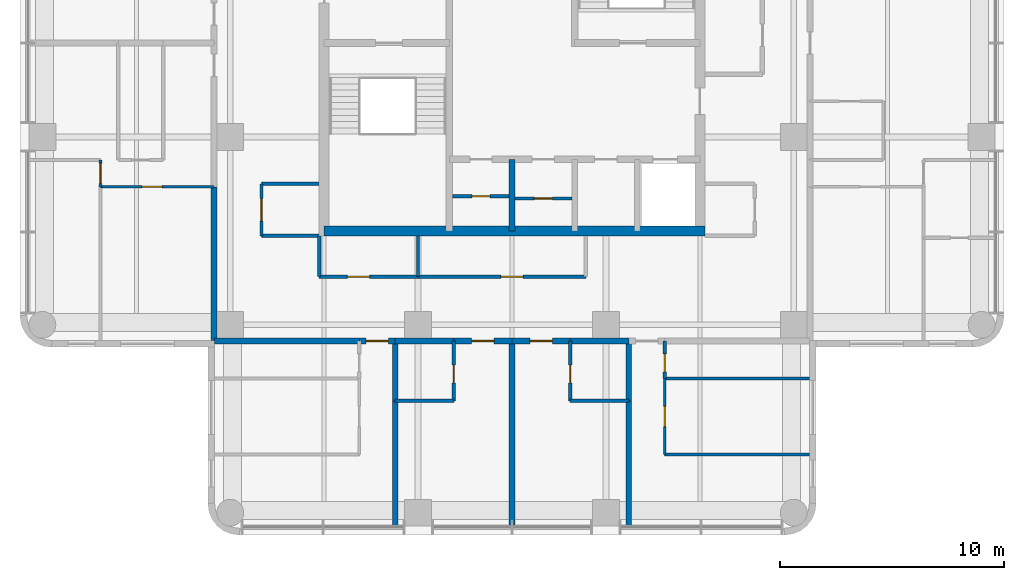
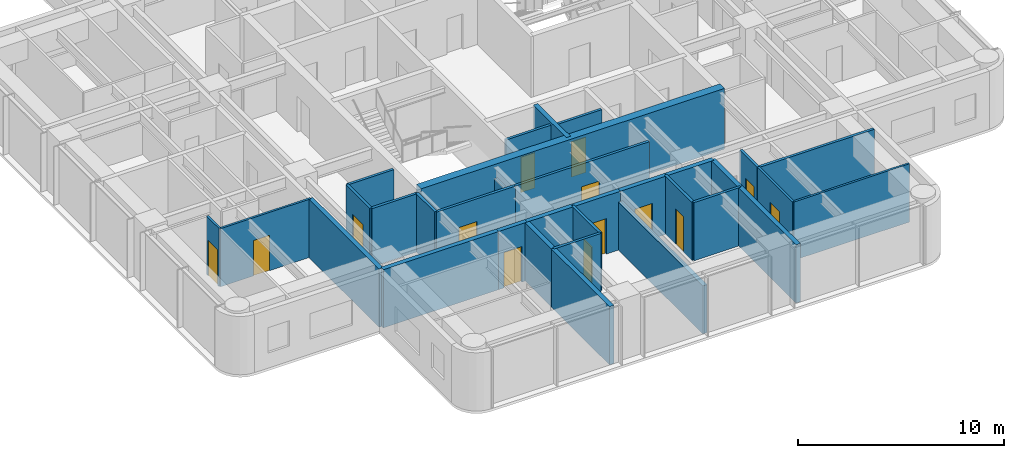
# One storey, part 4 of 10: 33 walls, 14 doors, 14 openings.
"""IFC4 building model written with IfcOpenShell, lengths in metres."""

from ifc_helpers import new_model, si_unit, direction, frame, frame_2d, origin, place, context, subcontext, project, spatial, rectangle, extrude, material, layer, layer_set, type_object, element, fill, save


model = new_model("IFC4")

# Units and contexts
model_context = context("Model", 3, precision=1e-05, world=origin(), true_north=direction((0.0, 1.0)))
body_context = subcontext(model_context, "Body", "Model", "MODEL_VIEW")
ifc_project = project(units=[si_unit("LENGTHUNIT", "METRE"), si_unit("AREAUNIT", "SQUARE_METRE"), si_unit("VOLUMEUNIT", "CUBIC_METRE"), si_unit("PLANEANGLEUNIT", "RADIAN"), si_unit("MASSUNIT", "GRAM", prefix="KILO")], contexts=[model_context])

# Site, building, storey
site_placement = place(None, origin())
site = spatial("IfcSite", under=ifc_project, at=site_placement, CompositionType="ELEMENT")
building_placement = place(site_placement, origin())
building = spatial("IfcBuilding", under=site, at=building_placement, Name="Torre Alcanfor", CompositionType="ELEMENT")
storey_placement = place(building_placement, frame((0.0, 0.0, 282.89990234375)))
storey = spatial("IfcBuildingStorey", under=building, at=storey_placement, Name="L74", CompositionType="ELEMENT", Elevation=282.89990234375)

# Wall, opening, door
ifc_material_1 = material(Name="Concrete block masonry, hollow blocks NMX-C-404 9 MPa", Category="masonry")
ifc_layer_1 = layer(ifc_material_1, 0.25)
ifc_layer_set_1 = layer_set([ifc_layer_1], Name="Apartment entrance wall 250 EI 60")
wall_type_1 = type_object("IfcWallType", Name="Apartment entrance wall 250 EI 60", PredefinedType="PARTITIONING", material=ifc_layer_set_1)
wall_1_placement = place(storey_placement, frame((32.0, 16.074951171875, 0.0), z_axis=(0.0, 0.0, 1.0), x_axis=(-1.0, 0.0, 0.0)))
wall_1 = element("IfcWall", 1, at=wall_1_placement, inside=storey, type_object=wall_type_1, Name="Partition L74-CORR / L74-S1A-STUDIO", PredefinedType="PARTITIONING", context=body_context, shape_type="SweptSolid", body=[
    extrude(rectangle(XDim=2.60009765625, YDim=0.25, at=frame_2d((1.300048828125, 0.0))), origin(), (0.0, 0.0, 1.0), 3.4501953125),
])
opening_1_placement = place(wall_1_placement, frame((0.800048828125, 0.0, 0.0)))
opening_1 = element("IfcOpeningElement", 2, at=opening_1_placement, cuts=wall_1, Name="Opening D-A1", PredefinedType="OPENING", context=body_context, shape_type="SweptSolid", body=[
    extrude(rectangle(XDim=1.0, YDim=2.10009765625, at=frame_2d((0.5, 1.050048828125))), frame((0.0, 0.135009765625, 0.0), z_axis=(0.0, -1.0, 0.0), x_axis=(1.0, 0.0, 0.0)), (0.0, 0.0, 1.0), 0.27001953125),
])
ifc_material_2 = material(Name="Galvanised steel sheet ASTM A653", Category="steel")
door_type_1 = type_object("IfcDoorType", Name="Apartment entrance door FD60 1000x2100", OperationType="SINGLE_SWING_LEFT", PredefinedType="DOOR", material=ifc_material_2)
door_1_placement = place(opening_1_placement, origin())
door_1 = element("IfcDoor", 3, at=door_1_placement, inside=storey, type_object=door_type_1, Name="Apartment entrance L74-S1A", OperationType="SINGLE_SWING_LEFT", OverallHeight=2.10009765625, OverallWidth=1.0, PredefinedType="DOOR", context=body_context, shape_type="SweptSolid", body=[
    extrude(rectangle(XDim=1.0, YDim=2.10009765625, at=frame_2d((0.5, 1.050048828125))), frame((0.0, 0.02490234375, 0.0), z_axis=(0.0, -1.0, 0.0), x_axis=(1.0, 0.0, 0.0)), (0.0, 0.0, 1.0), 0.050048828125),
])
fill(opening_1, door_1)

# Wall
wall_2_placement = place(storey_placement, frame((34.62890625, 16.074951171875, 0.0), z_axis=(0.0, 0.0, 1.0), x_axis=(-1.0, 0.0, 0.0)))
element("IfcWall", 4, at=wall_2_placement, inside=storey, type_object=wall_type_1, Name="Partition L74-CORR / L74-S1A-BATH", PredefinedType="PARTITIONING", context=body_context, shape_type="SweptSolid", body=[
    extrude(rectangle(XDim=2.62890625, YDim=0.25, at=frame_2d((1.314453125, 0.0))), origin(), (0.0, 0.0, 1.0), 3.4501953125),
])

# Wall, opening, door
wall_3_placement = place(storey_placement, frame((29.39990234375, 16.074951171875, 0.0), z_axis=(0.0, 0.0, 1.0), x_axis=(-1.0, 0.0, 0.0)))
wall_3 = element("IfcWall", 5, at=wall_3_placement, inside=storey, type_object=wall_type_1, Name="Partition L74-CORR / L74-S2A-STUDIO", PredefinedType="PARTITIONING", context=body_context, shape_type="SweptSolid", body=[
    extrude(rectangle(XDim=2.599853515625, YDim=0.25, at=frame_2d((1.2998046875, 0.0))), origin(), (0.0, 0.0, 1.0), 3.4501953125),
])
opening_2_placement = place(wall_3_placement, frame((0.800048828125, 0.0, 0.0)))
opening_2 = element("IfcOpeningElement", 6, at=opening_2_placement, cuts=wall_3, Name="Opening D-A1", PredefinedType="OPENING", context=body_context, shape_type="SweptSolid", body=[
    extrude(rectangle(XDim=1.0, YDim=2.10009765625, at=frame_2d((0.5, 1.050048828125))), frame((0.0, 0.135009765625, 0.0), z_axis=(0.0, -1.0, 0.0), x_axis=(1.0, 0.0, 0.0)), (0.0, 0.0, 1.0), 0.27001953125),
])
door_2_placement = place(opening_2_placement, origin())
door_2 = element("IfcDoor", 7, at=door_2_placement, inside=storey, type_object=door_type_1, Name="Apartment entrance L74-S2A", OperationType="SINGLE_SWING_LEFT", OverallHeight=2.10009765625, OverallWidth=1.0, PredefinedType="DOOR", context=body_context, shape_type="SweptSolid", body=[
    extrude(rectangle(XDim=1.0, YDim=2.10009765625, at=frame_2d((0.5, 1.050048828125))), frame((0.0, 0.02490234375, 0.0), z_axis=(0.0, -1.0, 0.0), x_axis=(1.0, 0.0, 0.0)), (0.0, 0.0, 1.0), 0.050048828125),
])
fill(opening_2, door_2)

# Wall
wall_4_placement = place(storey_placement, frame((26.800048828125, 16.074951171875, 0.0), z_axis=(0.0, 0.0, 1.0), x_axis=(-1.0, 0.0, 0.0)))
element("IfcWall", 8, at=wall_4_placement, inside=storey, type_object=wall_type_1, Name="Partition L74-CORR / L74-S2A-BATH", PredefinedType="PARTITIONING", context=body_context, shape_type="SweptSolid", body=[
    extrude(rectangle(XDim=2.629150390625, YDim=0.25, at=frame_2d((1.314453125, 0.0))), origin(), (0.0, 0.0, 1.0), 3.4501953125),
])

# Wall, opening, door
wall_5_placement = place(storey_placement, frame((24.1708984375, 16.074951171875, 0.0), z_axis=(0.0, 0.0, 1.0), x_axis=(-1.0, 0.0, 0.0)))
wall_5 = element("IfcWall", 9, at=wall_5_placement, inside=storey, type_object=wall_type_1, Name="Partition L74-CORR / L74-S2B-LIVING", PredefinedType="PARTITIONING", context=body_context, shape_type="SweptSolid", body=[
    extrude(rectangle(XDim=1.599853515625, YDim=0.25, at=frame_2d((0.7998046875, 0.0))), origin(), (0.0, 0.0, 1.0), 3.4501953125),
])
opening_3_placement = place(wall_5_placement, frame((0.300048828125, 0.0, 0.0)))
opening_3 = element("IfcOpeningElement", 10, at=opening_3_placement, cuts=wall_5, Name="Opening D-A1", PredefinedType="OPENING", context=body_context, shape_type="SweptSolid", body=[
    extrude(rectangle(XDim=1.0, YDim=2.10009765625, at=frame_2d((0.5, 1.050048828125))), frame((0.0, 0.135009765625, 0.0), z_axis=(0.0, -1.0, 0.0), x_axis=(1.0, 0.0, 0.0)), (0.0, 0.0, 1.0), 0.27001953125),
])
door_3_placement = place(opening_3_placement, origin())
door_3 = element("IfcDoor", 11, at=door_3_placement, inside=storey, type_object=door_type_1, Name="Apartment entrance L74-S2B", OperationType="SINGLE_SWING_LEFT", OverallHeight=2.10009765625, OverallWidth=1.0, PredefinedType="DOOR", context=body_context, shape_type="SweptSolid", body=[
    extrude(rectangle(XDim=1.0, YDim=2.10009765625, at=frame_2d((0.5, 1.050048828125))), frame((0.0, 0.02490234375, 0.0), z_axis=(0.0, -1.0, 0.0), x_axis=(1.0, 0.0, 0.0)), (0.0, 0.0, 1.0), 0.050048828125),
])
fill(opening_3, door_3)

# Walls
wall_6_placement = place(storey_placement, frame((22.571044921875, 16.074951171875, 0.0), z_axis=(0.0, 0.0, 1.0), x_axis=(-1.0, 0.0, 0.0)))
element("IfcWall", 12, at=wall_6_placement, inside=storey, type_object=wall_type_1, Name="Partition L74-CORR / L74-S2B-BATH", PredefinedType="PARTITIONING", context=body_context, shape_type="SweptSolid", body=[
    extrude(rectangle(XDim=6.470947265625, YDim=0.25, at=frame_2d((3.2353515625, 0.0))), origin(), (0.0, 0.0, 1.0), 3.4501953125),
])
wall_7_placement = place(storey_placement, frame((16.074951171875, 16.10009765625, 0.0), z_axis=(0.0, 0.0, 1.0), x_axis=(0.0, 1.0, 0.0)))
element("IfcWall", 13, at=wall_7_placement, inside=storey, type_object=wall_type_1, Name="Partition L74-CORR / L74-W1-BED2", PredefinedType="PARTITIONING", context=body_context, shape_type="SweptSolid", body=[
    extrude(rectangle(XDim=6.870849609375, YDim=0.25, at=frame_2d((3.435546875, 0.0))), origin(), (0.0, 0.0, 1.0), 3.4501953125),
])

# Wall, opening, door
ifc_material_3 = material(Name="Gypsum board on steel studs", Category="steel")
ifc_layer_2 = layer(ifc_material_3, 0.1201171875)
ifc_layer_set_2 = layer_set([ifc_layer_2], Name="Apartment partition 120")
wall_type_2 = type_object("IfcWallType", Name="Apartment partition 120", PredefinedType="PARTITIONING", material=ifc_layer_set_2)
wall_8_placement = place(storey_placement, frame((36.22900390625, 14.39990234375, 0.0), z_axis=(0.0, 0.0, 1.0), x_axis=(0.0, -1.0, 0.0)))
wall_8 = element("IfcWall", 14, at=wall_8_placement, inside=storey, type_object=wall_type_2, Name="Partition L74-S1B-LIVING / L74-S1B-MASTER", PredefinedType="PARTITIONING", context=body_context, shape_type="SweptSolid", body=[
    extrude(rectangle(XDim=3.39990234375, YDim=0.1201171875, at=frame_2d((1.699951171875, 0.0))), origin(), (0.0, 0.0, 1.0), 3.4501953125),
])
opening_4_placement = place(wall_8_placement, frame((1.25, 0.0, 0.0)))
opening_4 = element("IfcOpeningElement", 15, at=opening_4_placement, cuts=wall_8, Name="Opening D-R1", PredefinedType="OPENING", context=body_context, shape_type="SweptSolid", body=[
    extrude(rectangle(XDim=0.89990234375, YDim=2.10009765625, at=frame_2d((0.449951171875, 1.050048828125))), frame((0.0, 0.070068359375, 0.0), z_axis=(0.0, -1.0, 0.0), x_axis=(1.0, 0.0, 0.0)), (0.0, 0.0, 1.0), 0.14013671875),
])
ifc_material_4 = material(Name="Timber", Category="wood")
door_type_2 = type_object("IfcDoorType", Name="Internal door 900x2100", OperationType="SINGLE_SWING_LEFT", PredefinedType="DOOR", material=ifc_material_4)
door_4_placement = place(opening_4_placement, origin())
door_4 = element("IfcDoor", 16, at=door_4_placement, inside=storey, type_object=door_type_2, Name="Door L74-S1B master", OperationType="SINGLE_SWING_LEFT", OverallHeight=2.10009765625, OverallWidth=0.89990234375, PredefinedType="DOOR", context=body_context, shape_type="SweptSolid", body=[
    extrude(rectangle(XDim=0.89990234375, YDim=2.10009765625, at=frame_2d((0.449951171875, 1.050048828125))), frame((0.0, 0.02490234375, 0.0), z_axis=(0.0, -1.0, 0.0), x_axis=(1.0, 0.0, 0.0)), (0.0, 0.0, 1.0), 0.050048828125),
])
fill(opening_4, door_4)

# Wall
wall_9_placement = place(storey_placement, frame((36.22900390625, 11.0, 0.0), z_axis=(0.0, 0.0, 1.0), x_axis=(1.0, 0.0, 0.0)))
element("IfcWall", 17, at=wall_9_placement, inside=storey, type_object=wall_type_2, Name="Partition L74-S1B-LIVING / L74-S1B-MASTER", PredefinedType="PARTITIONING", context=body_context, shape_type="SweptSolid", body=[
    extrude(rectangle(XDim=6.470947265625, YDim=0.1201171875, at=frame_2d((3.2353515625, 0.0))), origin(), (0.0, 0.0, 1.0), 3.4501953125),
])

# Wall, opening, door
wall_10_placement = place(storey_placement, frame((16.074951171875, 22.970947265625, 0.0), z_axis=(0.0, 0.0, 1.0), x_axis=(-1.0, 0.0, 0.0)))
wall_10 = element("IfcWall", 18, at=wall_10_placement, inside=storey, type_object=wall_type_2, Name="Partition L74-W1-LIVING / L74-W1-BED2", PredefinedType="PARTITIONING", context=body_context, shape_type="SweptSolid", body=[
    extrude(rectangle(XDim=5.074951171875, YDim=0.1201171875, at=frame_2d((2.53759765625, 0.0))), origin(), (0.0, 0.0, 1.0), 3.4501953125),
])
opening_5_placement = place(wall_10_placement, frame((2.324951171875, 0.0, 0.0)))
opening_5 = element("IfcOpeningElement", 19, at=opening_5_placement, cuts=wall_10, Name="Opening D-R1", PredefinedType="OPENING", context=body_context, shape_type="SweptSolid", body=[
    extrude(rectangle(XDim=0.89990234375, YDim=2.10009765625, at=frame_2d((0.449951171875, 1.050048828125))), frame((0.0, 0.070068359375, 0.0), z_axis=(0.0, -1.0, 0.0), x_axis=(1.0, 0.0, 0.0)), (0.0, 0.0, 1.0), 0.14013671875),
])
door_5_placement = place(opening_5_placement, origin())
door_5 = element("IfcDoor", 20, at=door_5_placement, inside=storey, type_object=door_type_2, Name="Door L74-W1 bed2", OperationType="SINGLE_SWING_RIGHT", OverallHeight=2.10009765625, OverallWidth=0.89990234375, PredefinedType="DOOR", context=body_context, shape_type="SweptSolid", body=[
    extrude(rectangle(XDim=0.89990234375, YDim=2.10009765625, at=frame_2d((0.449951171875, 1.050048828125))), frame((0.0, 0.02490234375, 0.0), z_axis=(0.0, -1.0, 0.0), x_axis=(1.0, 0.0, 0.0)), (0.0, 0.0, 1.0), 0.050048828125),
])
fill(opening_5, door_5)

wall_11_placement = place(storey_placement, frame((11.0, 22.970947265625, 0.0), z_axis=(0.0, 0.0, 1.0), x_axis=(0.0, 1.0, 0.0)))
wall_11 = element("IfcWall", 21, at=wall_11_placement, inside=storey, type_object=wall_type_2, Name="Partition L74-W1-LIVING / L74-W1-MASTER", PredefinedType="PARTITIONING", context=body_context, shape_type="SweptSolid", body=[
    extrude(rectangle(XDim=1.199951171875, YDim=0.1201171875, at=frame_2d((0.60009765625, 0.0))), origin(), (0.0, 0.0, 1.0), 3.4501953125),
])
opening_6_placement = place(wall_11_placement, frame((0.14892578125, 0.0, 0.0)))
opening_6 = element("IfcOpeningElement", 22, at=opening_6_placement, cuts=wall_11, Name="Opening D-R1", PredefinedType="OPENING", context=body_context, shape_type="SweptSolid", body=[
    extrude(rectangle(XDim=0.89990234375, YDim=2.10009765625, at=frame_2d((0.449951171875, 1.050048828125))), frame((0.0, 0.070068359375, 0.0), z_axis=(0.0, -1.0, 0.0), x_axis=(1.0, 0.0, 0.0)), (0.0, 0.0, 1.0), 0.14013671875),
])
door_6_placement = place(opening_6_placement, origin())
door_6 = element("IfcDoor", 23, at=door_6_placement, inside=storey, type_object=door_type_2, Name="Door L74-W1 master", OperationType="SINGLE_SWING_RIGHT", OverallHeight=2.10009765625, OverallWidth=0.89990234375, PredefinedType="DOOR", context=body_context, shape_type="SweptSolid", body=[
    extrude(rectangle(XDim=0.89990234375, YDim=2.10009765625, at=frame_2d((0.449951171875, 1.050048828125))), frame((0.0, 0.02490234375, 0.0), z_axis=(0.0, -1.0, 0.0), x_axis=(1.0, 0.0, 0.0)), (0.0, 0.0, 1.0), 0.050048828125),
])
fill(opening_6, door_6)

# Walls
ifc_material_5 = material(Name="Concrete f'c 70 MPa", Category="concrete")
ifc_layer_3 = layer(ifc_material_5, 0.25)
ifc_layer_set_3 = layer_set([ifc_layer_3], Name="Core shaft wall 250 f'c70")
wall_type_3 = type_object("IfcWallType", Name="Core shaft wall 250 f'c70", PredefinedType="SHEAR", material=ifc_layer_set_3)
wall_12_placement = place(storey_placement, frame((29.39990234375, 21.0, 0.0), z_axis=(0.0, 0.0, 1.0), x_axis=(0.0, 1.0, 0.0)))
element("IfcWall", 24, at=wall_12_placement, inside=storey, type_object=wall_type_3, Name="Core wall X294S L74", PredefinedType="SHEAR", context=body_context, shape_type="SweptSolid", body=[
    extrude(rectangle(XDim=3.199951171875, YDim=0.25, at=frame_2d((1.60009765625, 0.0))), origin(), (0.0, 0.0, 1.0), 3.60009765625),
])
ifc_material_6 = material(Name="Concrete f'c 70 MPa", Category="concrete")
ifc_layer_4 = layer(ifc_material_6, 0.449951171875)
ifc_layer_set_4 = layer_set([ifc_layer_4], Name="Core wall 450 f'c70")
wall_type_4 = type_object("IfcWallType", Name="Core wall 450 f'c70", PredefinedType="SHEAR", material=ifc_layer_set_4)
wall_13_placement = place(storey_placement, frame((21.0, 21.0, 0.0), z_axis=(0.0, 0.0, 1.0), x_axis=(1.0, 0.0, 0.0)))
element("IfcWall", 25, at=wall_13_placement, inside=storey, type_object=wall_type_4, Name="Core wall OUT-S L74", PredefinedType="SHEAR", context=body_context, shape_type="SweptSolid", body=[
    extrude(rectangle(XDim=17.02490234375, YDim=0.449951171875, at=frame_2d((8.512451171875, 0.0))), origin(), (0.0, 0.0, 1.0), 3.60009765625),
])
ifc_material_7 = material(Name="Concrete block masonry, hollow blocks NMX-C-404 9 MPa", Category="masonry")
ifc_layer_5 = layer(ifc_material_7, 0.25)
ifc_layer_set_5 = layer_set([ifc_layer_5], Name="Party wall 250 EI 60")
wall_type_5 = type_object("IfcWallType", Name="Party wall 250 EI 60", PredefinedType="PARTITIONING", material=ifc_layer_set_5)
wall_14_placement = place(storey_placement, frame((34.62890625, 13.39990234375, 0.0), z_axis=(0.0, 0.0, 1.0), x_axis=(0.0, -1.0, 0.0)))
element("IfcWall", 26, at=wall_14_placement, inside=storey, type_object=wall_type_5, Name="Partition L74-S1A-STUDIO / L74-S1B-LIVING", PredefinedType="PARTITIONING", context=body_context, shape_type="SweptSolid", body=[
    extrude(rectangle(XDim=5.64990234375, YDim=0.25, at=frame_2d((2.824951171875, 0.0))), origin(), (0.0, 0.0, 1.0), 3.4501953125),
])
wall_15_placement = place(storey_placement, frame((29.39990234375, 7.75, 0.0), z_axis=(0.0, 0.0, 1.0), x_axis=(0.0, 1.0, 0.0)))
element("IfcWall", 27, at=wall_15_placement, inside=storey, type_object=wall_type_5, Name="Partition L74-S1A-STUDIO / L74-S2A-STUDIO", PredefinedType="PARTITIONING", context=body_context, shape_type="SweptSolid", body=[
    extrude(rectangle(XDim=8.324951171875, YDim=0.25, at=frame_2d((4.16259765625, 0.0))), origin(), (0.0, 0.0, 1.0), 2.84814453125),
])
wall_16_placement = place(storey_placement, frame((34.62890625, 13.39990234375, 0.0), z_axis=(0.0, 0.0, 1.0), x_axis=(0.0, 1.0, 0.0)))
element("IfcWall", 28, at=wall_16_placement, inside=storey, type_object=wall_type_5, Name="Partition L74-S1A-BATH / L74-S1B-LIVING", PredefinedType="PARTITIONING", context=body_context, shape_type="SweptSolid", body=[
    extrude(rectangle(XDim=2.675048828125, YDim=0.25, at=frame_2d((1.33740234375, 0.0))), origin(), (0.0, 0.0, 1.0), 3.4501953125),
])
wall_17_placement = place(storey_placement, frame((24.1708984375, 7.75, 0.0), z_axis=(0.0, 0.0, 1.0), x_axis=(0.0, 1.0, 0.0)))
element("IfcWall", 29, at=wall_17_placement, inside=storey, type_object=wall_type_5, Name="Partition L74-S2A-STUDIO / L74-S2B-LIVING", PredefinedType="PARTITIONING", context=body_context, shape_type="SweptSolid", body=[
    extrude(rectangle(XDim=5.64990234375, YDim=0.25, at=frame_2d((2.824951171875, 0.0))), origin(), (0.0, 0.0, 1.0), 3.4501953125),
])
wall_18_placement = place(storey_placement, frame((24.1708984375, 13.39990234375, 0.0), z_axis=(0.0, 0.0, 1.0), x_axis=(0.0, 1.0, 0.0)))
element("IfcWall", 30, at=wall_18_placement, inside=storey, type_object=wall_type_5, Name="Partition L74-S2A-BATH / L74-S2B-LIVING", PredefinedType="PARTITIONING", context=body_context, shape_type="SweptSolid", body=[
    extrude(rectangle(XDim=2.675048828125, YDim=0.25, at=frame_2d((1.33740234375, 0.0))), origin(), (0.0, 0.0, 1.0), 3.4501953125),
])
ifc_material_8 = material(Name="Concrete block masonry, hollow blocks NMX-C-404 9 MPa", Category="masonry")
ifc_layer_6 = layer(ifc_material_8, 0.14990234375)
ifc_layer_set_6 = layer_set([ifc_layer_6], Name="Residents' room partition 150")
wall_type_6 = type_object("IfcWallType", Name="Residents' room partition 150", PredefinedType="PARTITIONING", material=ifc_layer_set_6)
wall_19_placement = place(storey_placement, frame((20.77490234375, 20.77490234375, 0.0), z_axis=(0.0, 0.0, 1.0), x_axis=(0.0, -1.0, 0.0)))
element("IfcWall", 31, at=wall_19_placement, inside=storey, type_object=wall_type_6, Name="Partition L74-CORR / L74-G05", PredefinedType="PARTITIONING", context=body_context, shape_type="SweptSolid", body=[
    extrude(rectangle(XDim=1.824951171875, YDim=0.14990234375, at=frame_2d((0.91259765625, 0.0))), origin(), (0.0, 0.0, 1.0), 3.4501953125),
])

# Wall, opening, door
wall_20_placement = place(storey_placement, frame((20.77490234375, 18.949951171875, 0.0), z_axis=(0.0, 0.0, 1.0), x_axis=(1.0, 0.0, 0.0)))
wall_20 = element("IfcWall", 32, at=wall_20_placement, inside=storey, type_object=wall_type_6, Name="Partition L74-CORR / L74-G05", PredefinedType="PARTITIONING", context=body_context, shape_type="SweptSolid", body=[
    extrude(rectangle(XDim=4.425048828125, YDim=0.14990234375, at=frame_2d((2.21240234375, 0.0))), origin(), (0.0, 0.0, 1.0), 3.4501953125),
])
opening_7_placement = place(wall_20_placement, frame((1.262451171875, 0.0, 0.0)))
opening_7 = element("IfcOpeningElement", 33, at=opening_7_placement, cuts=wall_20, Name="Opening D-M1", PredefinedType="OPENING", context=body_context, shape_type="SweptSolid", body=[
    extrude(rectangle(XDim=1.0, YDim=2.10009765625, at=frame_2d((0.5, 1.050048828125))), frame((0.0, 0.0849609375, 0.0), z_axis=(0.0, -1.0, 0.0), x_axis=(1.0, 0.0, 0.0)), (0.0, 0.0, 1.0), 0.169921875),
])
ifc_material_9 = material(Name="Timber", Category="wood")
door_type_3 = type_object("IfcDoorType", Name="Residents' room door 1000x2100", OperationType="SINGLE_SWING_LEFT", PredefinedType="DOOR", material=ifc_material_9)
door_7_placement = place(opening_7_placement, origin())
door_7 = element("IfcDoor", 34, at=door_7_placement, inside=storey, type_object=door_type_3, Name="Door L74-G05 linen store", OperationType="SINGLE_SWING_LEFT", OverallHeight=2.10009765625, OverallWidth=1.0, PredefinedType="DOOR", context=body_context, shape_type="SweptSolid", body=[
    extrude(rectangle(XDim=1.0, YDim=2.10009765625, at=frame_2d((0.5, 1.050048828125))), frame((0.0, 0.02490234375, 0.0), z_axis=(0.0, -1.0, 0.0), x_axis=(1.0, 0.0, 0.0)), (0.0, 0.0, 1.0), 0.050048828125),
])
fill(opening_7, door_7)

wall_21_placement = place(storey_placement, frame((25.199951171875, 18.949951171875, 0.0), z_axis=(0.0, 0.0, 1.0), x_axis=(1.0, 0.0, 0.0)))
wall_21 = element("IfcWall", 35, at=wall_21_placement, inside=storey, type_object=wall_type_6, Name="Partition L74-CORR / L74-G06", PredefinedType="PARTITIONING", context=body_context, shape_type="SweptSolid", body=[
    extrude(rectangle(XDim=7.5, YDim=0.14990234375, at=frame_2d((3.75, 0.0))), origin(), (0.0, 0.0, 1.0), 3.4501953125),
])
opening_8_placement = place(wall_21_placement, frame((3.699951171875, 0.0, 0.0)))
opening_8 = element("IfcOpeningElement", 36, at=opening_8_placement, cuts=wall_21, Name="Opening D-M1", PredefinedType="OPENING", context=body_context, shape_type="SweptSolid", body=[
    extrude(rectangle(XDim=1.0, YDim=2.10009765625, at=frame_2d((0.5, 1.050048828125))), frame((0.0, 0.0849609375, 0.0), z_axis=(0.0, -1.0, 0.0), x_axis=(1.0, 0.0, 0.0)), (0.0, 0.0, 1.0), 0.169921875),
])
door_8_placement = place(opening_8_placement, origin())
door_8 = element("IfcDoor", 37, at=door_8_placement, inside=storey, type_object=door_type_3, Name="Door L74-G06 pram and wheelchair store", OperationType="SINGLE_SWING_RIGHT", OverallHeight=2.10009765625, OverallWidth=1.0, PredefinedType="DOOR", context=body_context, shape_type="SweptSolid", body=[
    extrude(rectangle(XDim=1.0, YDim=2.10009765625, at=frame_2d((0.5, 1.050048828125))), frame((0.0, 0.02490234375, 0.0), z_axis=(0.0, -1.0, 0.0), x_axis=(1.0, 0.0, 0.0)), (0.0, 0.0, 1.0), 0.050048828125),
])
fill(opening_8, door_8)

# Wall
wall_22_placement = place(storey_placement, frame((20.77490234375, 23.10009765625, 0.0), z_axis=(0.0, 0.0, 1.0), x_axis=(-1.0, 0.0, 0.0)))
element("IfcWall", 38, at=wall_22_placement, inside=storey, type_object=wall_type_6, Name="Partition L74-CORR / L74-G07", PredefinedType="PARTITIONING", context=body_context, shape_type="SweptSolid", body=[
    extrude(rectangle(XDim=2.574951171875, YDim=0.14990234375, at=frame_2d((1.28759765625, 0.0))), origin(), (0.0, 0.0, 1.0), 3.4501953125),
])

# Wall, opening, door
wall_23_placement = place(storey_placement, frame((18.199951171875, 23.10009765625, 0.0), z_axis=(0.0, 0.0, 1.0), x_axis=(0.0, -1.0, 0.0)))
wall_23 = element("IfcWall", 39, at=wall_23_placement, inside=storey, type_object=wall_type_6, Name="Partition L74-CORR / L74-G07", PredefinedType="PARTITIONING", context=body_context, shape_type="SweptSolid", body=[
    extrude(rectangle(XDim=2.3251953125, YDim=0.14990234375, at=frame_2d((1.16259765625, 0.0))), origin(), (0.0, 0.0, 1.0), 3.4501953125),
])
opening_9_placement = place(wall_23_placement, frame((0.66259765625, 0.0, 0.0)))
opening_9 = element("IfcOpeningElement", 40, at=opening_9_placement, cuts=wall_23, Name="Opening D-M1", PredefinedType="OPENING", context=body_context, shape_type="SweptSolid", body=[
    extrude(rectangle(XDim=1.0, YDim=2.10009765625, at=frame_2d((0.5, 1.050048828125))), frame((0.0, 0.0849609375, 0.0), z_axis=(0.0, -1.0, 0.0), x_axis=(1.0, 0.0, 0.0)), (0.0, 0.0, 1.0), 0.169921875),
])
door_9_placement = place(opening_9_placement, origin())
door_9 = element("IfcDoor", 41, at=door_9_placement, inside=storey, type_object=door_type_3, Name="Door L74-G07 residents' storage", OperationType="SINGLE_SWING_LEFT", OverallHeight=2.10009765625, OverallWidth=1.0, PredefinedType="DOOR", context=body_context, shape_type="SweptSolid", body=[
    extrude(rectangle(XDim=1.0, YDim=2.10009765625, at=frame_2d((0.5, 1.050048828125))), frame((0.0, 0.02490234375, 0.0), z_axis=(0.0, -1.0, 0.0), x_axis=(1.0, 0.0, 0.0)), (0.0, 0.0, 1.0), 0.050048828125),
])
fill(opening_9, door_9)

# Walls
wall_24_placement = place(storey_placement, frame((18.199951171875, 20.77490234375, 0.0), z_axis=(0.0, 0.0, 1.0), x_axis=(1.0, 0.0, 0.0)))
element("IfcWall", 42, at=wall_24_placement, inside=storey, type_object=wall_type_6, Name="Partition L74-CORR / L74-G07", PredefinedType="PARTITIONING", context=body_context, shape_type="SweptSolid", body=[
    extrude(rectangle(XDim=2.574951171875, YDim=0.14990234375, at=frame_2d((1.28759765625, 0.0))), origin(), (0.0, 0.0, 1.0), 3.4501953125),
])
wall_25_placement = place(storey_placement, frame((25.199951171875, 18.949951171875, 0.0), z_axis=(0.0, 0.0, 1.0), x_axis=(0.0, 1.0, 0.0)))
element("IfcWall", 43, at=wall_25_placement, inside=storey, type_object=wall_type_6, Name="Partition L74-G05 / L74-G06", PredefinedType="PARTITIONING", context=body_context, shape_type="SweptSolid", body=[
    extrude(rectangle(XDim=1.824951171875, YDim=0.14990234375, at=frame_2d((0.91259765625, 0.0))), origin(), (0.0, 0.0, 1.0), 2.766845703125),
])

# Wall, opening, door
wall_26_placement = place(storey_placement, frame((26.75, 22.550048828125, 0.0), z_axis=(0.0, 0.0, 1.0), x_axis=(1.0, 0.0, 0.0)))
wall_26 = element("IfcWall", 44, at=wall_26_placement, inside=storey, type_object=wall_type_6, Name="Partition L74-PA1R / L74-PA1C", PredefinedType="PARTITIONING", context=body_context, shape_type="SweptSolid", body=[
    extrude(rectangle(XDim=2.52490234375, YDim=0.14990234375, at=frame_2d((1.262451171875, 0.0))), origin(), (0.0, 0.0, 1.0), 3.4501953125),
])
opening_10_placement = place(wall_26_placement, frame((0.862548828125, 0.0, 0.0)))
opening_10 = element("IfcOpeningElement", 45, at=opening_10_placement, cuts=wall_26, Name="Opening D-R2", PredefinedType="OPENING", context=body_context, shape_type="SweptSolid", body=[
    extrude(rectangle(XDim=0.800048828125, YDim=2.10009765625, at=frame_2d((0.39990234375, 1.050048828125))), frame((0.0, 0.0849609375, 0.0), z_axis=(0.0, -1.0, 0.0), x_axis=(1.0, 0.0, 0.0)), (0.0, 0.0, 1.0), 0.169921875),
])
ifc_material_10 = material(Name="Timber", Category="wood")
door_type_4 = type_object("IfcDoorType", Name="Bathroom door 800x2100", OperationType="SINGLE_SWING_LEFT", PredefinedType="DOOR", material=ifc_material_10)
door_10_placement = place(opening_10_placement, frame((0.800048828125, 0.0, 0.0), z_axis=(0.0, 0.0, 1.0), x_axis=(-1.0, 0.0, 0.0)))
door_10 = element("IfcDoor", 46, at=door_10_placement, inside=storey, type_object=door_type_4, Name="Cleaners' cupboard door L74", OperationType="SINGLE_SWING_RIGHT", OverallHeight=2.10009765625, OverallWidth=0.800048828125, PredefinedType="DOOR", context=body_context, shape_type="SweptSolid", body=[
    extrude(rectangle(XDim=0.800048828125, YDim=2.10009765625, at=frame_2d((0.400146484375, 1.050048828125))), frame((0.0, 0.025146484375, 0.0), z_axis=(0.0, -1.0, 0.0), x_axis=(1.0, 0.0, 0.0)), (0.0, 0.0, 1.0), 0.050048828125),
])
fill(opening_10, door_10)

wall_27_placement = place(storey_placement, frame((29.52490234375, 22.449951171875, 0.0), z_axis=(0.0, 0.0, 1.0), x_axis=(1.0, 0.0, 0.0)))
wall_27 = element("IfcWall", 47, at=wall_27_placement, inside=storey, type_object=wall_type_6, Name="Partition L74-PA2R / L74-PA2C", PredefinedType="PARTITIONING", context=body_context, shape_type="SweptSolid", body=[
    extrude(rectangle(XDim=2.550048828125, YDim=0.14990234375, at=frame_2d((1.27490234375, 0.0))), origin(), (0.0, 0.0, 1.0), 3.4501953125),
])
opening_11_placement = place(wall_27_placement, frame((0.875, 0.0, 0.0)))
opening_11 = element("IfcOpeningElement", 48, at=opening_11_placement, cuts=wall_27, Name="Opening D-R2", PredefinedType="OPENING", context=body_context, shape_type="SweptSolid", body=[
    extrude(rectangle(XDim=0.800048828125, YDim=2.10009765625, at=frame_2d((0.39990234375, 1.050048828125))), frame((0.0, 0.0849609375, 0.0), z_axis=(0.0, -1.0, 0.0), x_axis=(1.0, 0.0, 0.0)), (0.0, 0.0, 1.0), 0.169921875),
])
door_11_placement = place(opening_11_placement, frame((0.800048828125, 0.0, 0.0), z_axis=(0.0, 0.0, 1.0), x_axis=(-1.0, 0.0, 0.0)))
door_11 = element("IfcDoor", 49, at=door_11_placement, inside=storey, type_object=door_type_4, Name="Housekeeping cupboard door L74", OperationType="SINGLE_SWING_RIGHT", OverallHeight=2.10009765625, OverallWidth=0.800048828125, PredefinedType="DOOR", context=body_context, shape_type="SweptSolid", body=[
    extrude(rectangle(XDim=0.800048828125, YDim=2.10009765625, at=frame_2d((0.400146484375, 1.050048828125))), frame((0.0, 0.025146484375, 0.0), z_axis=(0.0, -1.0, 0.0), x_axis=(1.0, 0.0, 0.0)), (0.0, 0.0, 1.0), 0.050048828125),
])
fill(opening_11, door_11)

ifc_material_11 = material(Name="Cement board on steel studs", Category="steel")
ifc_layer_7 = layer(ifc_material_11, 0.14990234375)
ifc_layer_set_7 = layer_set([ifc_layer_7], Name="Wet area partition 150")
wall_type_7 = type_object("IfcWallType", Name="Wet area partition 150", PredefinedType="PARTITIONING", material=ifc_layer_set_7)
wall_28_placement = place(storey_placement, frame((32.0, 16.074951171875, 0.0), z_axis=(0.0, 0.0, 1.0), x_axis=(0.0, -1.0, 0.0)))
wall_28 = element("IfcWall", 50, at=wall_28_placement, inside=storey, type_object=wall_type_7, Name="Partition L74-S1A-STUDIO / L74-S1A-BATH", PredefinedType="PARTITIONING", context=body_context, shape_type="SweptSolid", body=[
    extrude(rectangle(XDim=2.675048828125, YDim=0.14990234375, at=frame_2d((1.33740234375, 0.0))), origin(), (0.0, 0.0, 1.0), 3.4501953125),
])
opening_12_placement = place(wall_28_placement, frame((1.074951171875, 0.0, 0.0)))
opening_12 = element("IfcOpeningElement", 51, at=opening_12_placement, cuts=wall_28, Name="Opening D-R2", PredefinedType="OPENING", context=body_context, shape_type="SweptSolid", body=[
    extrude(rectangle(XDim=0.800048828125, YDim=2.10009765625, at=frame_2d((0.39990234375, 1.050048828125))), frame((0.0, 0.0849609375, 0.0), z_axis=(0.0, -1.0, 0.0), x_axis=(1.0, 0.0, 0.0)), (0.0, 0.0, 1.0), 0.169921875),
])
door_12_placement = place(opening_12_placement, origin())
door_12 = element("IfcDoor", 52, at=door_12_placement, inside=storey, type_object=door_type_4, Name="Door L74-S1A bath", OperationType="SINGLE_SWING_RIGHT", OverallHeight=2.10009765625, OverallWidth=0.800048828125, PredefinedType="DOOR", context=body_context, shape_type="SweptSolid", body=[
    extrude(rectangle(XDim=0.800048828125, YDim=2.10009765625, at=frame_2d((0.39990234375, 1.050048828125))), frame((0.0, 0.02490234375, 0.0), z_axis=(0.0, -1.0, 0.0), x_axis=(1.0, 0.0, 0.0)), (0.0, 0.0, 1.0), 0.050048828125),
])
fill(opening_12, door_12)

# Wall
wall_29_placement = place(storey_placement, frame((32.0, 13.39990234375, 0.0), z_axis=(0.0, 0.0, 1.0), x_axis=(1.0, 0.0, 0.0)))
element("IfcWall", 53, at=wall_29_placement, inside=storey, type_object=wall_type_7, Name="Partition L74-S1A-STUDIO / L74-S1A-BATH", PredefinedType="PARTITIONING", context=body_context, shape_type="SweptSolid", body=[
    extrude(rectangle(XDim=2.62890625, YDim=0.14990234375, at=frame_2d((1.314453125, 0.0))), origin(), (0.0, 0.0, 1.0), 3.4501953125),
])

# Wall, opening, door
wall_30_placement = place(storey_placement, frame((36.22900390625, 16.074951171875, 0.0), z_axis=(0.0, 0.0, 1.0), x_axis=(0.0, -1.0, 0.0)))
wall_30 = element("IfcWall", 54, at=wall_30_placement, inside=storey, type_object=wall_type_7, Name="Partition L74-S1B-LIVING / L74-S1B-BATH", PredefinedType="PARTITIONING", context=body_context, shape_type="SweptSolid", body=[
    extrude(rectangle(XDim=1.675048828125, YDim=0.14990234375, at=frame_2d((0.83740234375, 0.0))), origin(), (0.0, 0.0, 1.0), 3.4501953125),
])
opening_13_placement = place(wall_30_placement, frame((0.574951171875, 0.0, 0.0)))
opening_13 = element("IfcOpeningElement", 55, at=opening_13_placement, cuts=wall_30, Name="Opening D-R2", PredefinedType="OPENING", context=body_context, shape_type="SweptSolid", body=[
    extrude(rectangle(XDim=0.800048828125, YDim=2.10009765625, at=frame_2d((0.39990234375, 1.050048828125))), frame((0.0, 0.0849609375, 0.0), z_axis=(0.0, -1.0, 0.0), x_axis=(1.0, 0.0, 0.0)), (0.0, 0.0, 1.0), 0.169921875),
])
door_13_placement = place(opening_13_placement, origin())
door_13 = element("IfcDoor", 56, at=door_13_placement, inside=storey, type_object=door_type_4, Name="Door L74-S1B bath", OperationType="SINGLE_SWING_RIGHT", OverallHeight=2.10009765625, OverallWidth=0.800048828125, PredefinedType="DOOR", context=body_context, shape_type="SweptSolid", body=[
    extrude(rectangle(XDim=0.800048828125, YDim=2.10009765625, at=frame_2d((0.39990234375, 1.050048828125))), frame((0.0, 0.02490234375, 0.0), z_axis=(0.0, -1.0, 0.0), x_axis=(1.0, 0.0, 0.0)), (0.0, 0.0, 1.0), 0.050048828125),
])
fill(opening_13, door_13)

# Walls
wall_31_placement = place(storey_placement, frame((36.22900390625, 14.39990234375, 0.0), z_axis=(0.0, 0.0, 1.0), x_axis=(1.0, 0.0, 0.0)))
element("IfcWall", 57, at=wall_31_placement, inside=storey, type_object=wall_type_7, Name="Partition L74-S1B-BATH / L74-S1B-MASTER", PredefinedType="PARTITIONING", context=body_context, shape_type="SweptSolid", body=[
    extrude(rectangle(XDim=6.470947265625, YDim=0.14990234375, at=frame_2d((3.2353515625, 0.0))), origin(), (0.0, 0.0, 1.0), 3.4501953125),
])
wall_32_placement = place(storey_placement, frame((24.1708984375, 13.39990234375, 0.0), z_axis=(0.0, 0.0, 1.0), x_axis=(1.0, 0.0, 0.0)))
element("IfcWall", 58, at=wall_32_placement, inside=storey, type_object=wall_type_7, Name="Partition L74-S2A-STUDIO / L74-S2A-BATH", PredefinedType="PARTITIONING", context=body_context, shape_type="SweptSolid", body=[
    extrude(rectangle(XDim=2.629150390625, YDim=0.14990234375, at=frame_2d((1.314453125, 0.0))), origin(), (0.0, 0.0, 1.0), 3.4501953125),
])

# Wall, opening, door
wall_33_placement = place(storey_placement, frame((26.800048828125, 13.39990234375, 0.0), z_axis=(0.0, 0.0, 1.0), x_axis=(0.0, 1.0, 0.0)))
wall_33 = element("IfcWall", 59, at=wall_33_placement, inside=storey, type_object=wall_type_7, Name="Partition L74-S2A-STUDIO / L74-S2A-BATH", PredefinedType="PARTITIONING", context=body_context, shape_type="SweptSolid", body=[
    extrude(rectangle(XDim=2.675048828125, YDim=0.14990234375, at=frame_2d((1.33740234375, 0.0))), origin(), (0.0, 0.0, 1.0), 3.4501953125),
])
opening_14_placement = place(wall_33_placement, frame((0.800048828125, 0.0, 0.0)))
opening_14 = element("IfcOpeningElement", 60, at=opening_14_placement, cuts=wall_33, Name="Opening D-R2", PredefinedType="OPENING", context=body_context, shape_type="SweptSolid", body=[
    extrude(rectangle(XDim=0.800048828125, YDim=2.10009765625, at=frame_2d((0.39990234375, 1.050048828125))), frame((0.0, 0.0849609375, 0.0), z_axis=(0.0, -1.0, 0.0), x_axis=(1.0, 0.0, 0.0)), (0.0, 0.0, 1.0), 0.169921875),
])
door_14_placement = place(opening_14_placement, origin())
door_14 = element("IfcDoor", 61, at=door_14_placement, inside=storey, type_object=door_type_4, Name="Door L74-S2A bath", OperationType="SINGLE_SWING_LEFT", OverallHeight=2.10009765625, OverallWidth=0.800048828125, PredefinedType="DOOR", context=body_context, shape_type="SweptSolid", body=[
    extrude(rectangle(XDim=0.800048828125, YDim=2.10009765625, at=frame_2d((0.39990234375, 1.050048828125))), frame((0.0, 0.02490234375, 0.0), z_axis=(0.0, -1.0, 0.0), x_axis=(1.0, 0.0, 0.0)), (0.0, 0.0, 1.0), 0.050048828125),
])
fill(opening_14, door_14)

save(model, "model.ifc")
